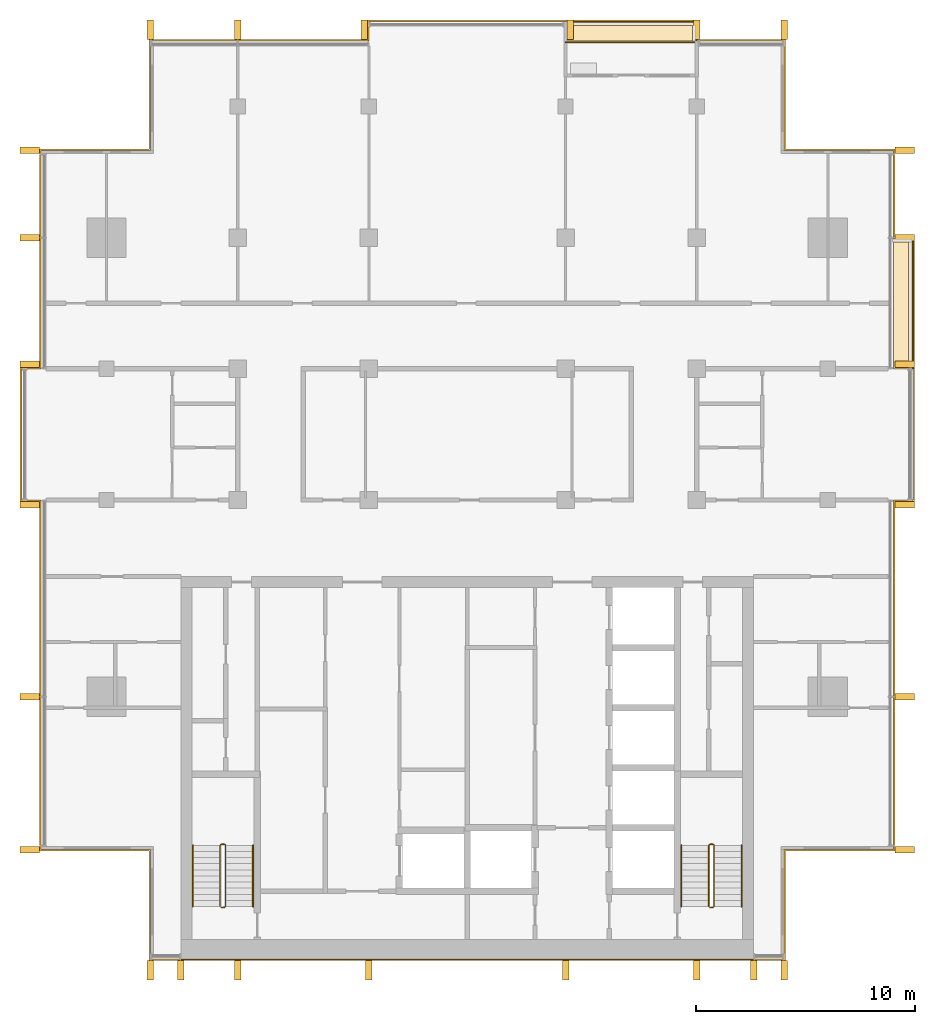
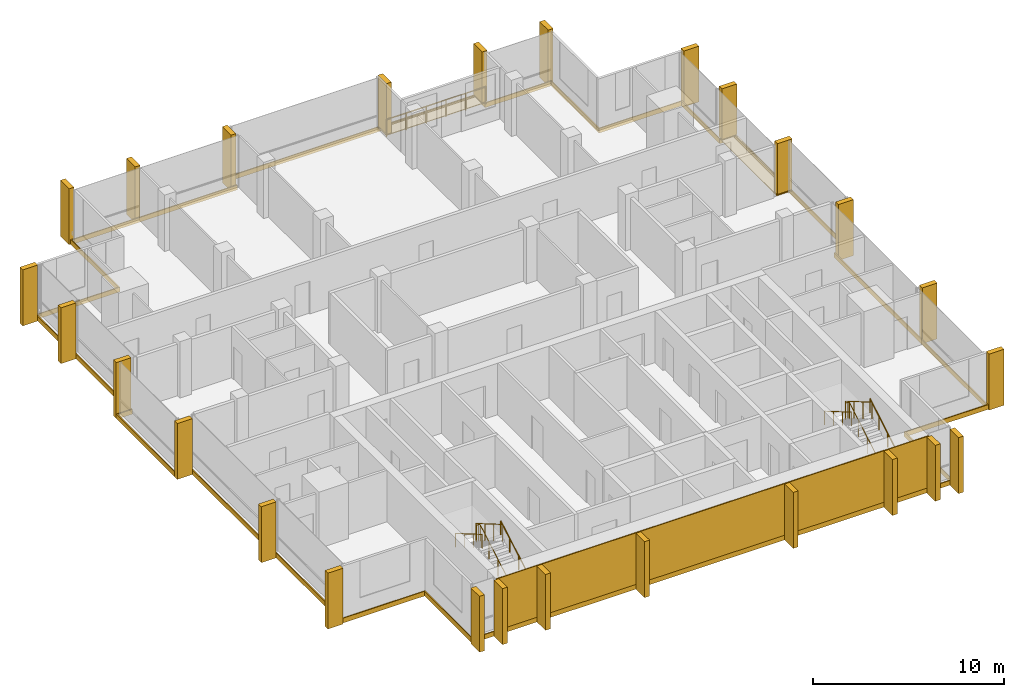
# One storey, part 15 of 15: 26 shading devices, 9 coverings, 7 railings.
"""IFC4 building model written with IfcOpenShell, lengths in metres."""

from ifc_helpers import new_model, si_unit, direction, frame, origin, origin_2d, place, context, subcontext, project, spatial, polyline, rectangle, circle, outline, extrude, material, layer, layer_set, type_object, element, save


model = new_model("IFC4")

# Units and contexts
model_context = context("Model", 3, precision=1e-05, world=origin(), true_north=direction((0.0, 1.0)))
body_context = subcontext(model_context, "Body", "Model", "MODEL_VIEW")
ifc_project = project(units=[si_unit("LENGTHUNIT", "METRE"), si_unit("AREAUNIT", "SQUARE_METRE"), si_unit("VOLUMEUNIT", "CUBIC_METRE"), si_unit("PLANEANGLEUNIT", "RADIAN"), si_unit("MASSUNIT", "GRAM", prefix="KILO")], contexts=[model_context])

# Site, building, storey
site_placement = place(None, origin())
site = spatial("IfcSite", under=ifc_project, at=site_placement, CompositionType="ELEMENT")
building_placement = place(site_placement, origin())
building = spatial("IfcBuilding", under=site, at=building_placement, Name="Finial Court Residences", CompositionType="ELEMENT")
storey_placement = place(building_placement, frame((0.0, 0.0, 273.5)))
storey = spatial("IfcBuildingStorey", under=building, at=storey_placement, Name="L69", CompositionType="ELEMENT", Elevation=273.5)

# Railing
ifc_material_1 = material(Name="Bronze anodised aluminium", Category="aluminium")
railing_type_1 = type_object("IfcRailingType", Name="Balcony guard 1100", PredefinedType="GUARDRAIL", material=ifc_material_1)
railing_1_placement = place(storey_placement, frame((4.5, 16.449951171875, 0.0)))
element("IfcRailing", 1, at=railing_1_placement, inside=storey, type_object=railing_type_1, Name="E-L69-BALN4-R", PredefinedType="GUARDRAIL", context=body_context, shape_type="SweptSolid", body=[
    extrude(circle(Radius=0.02392578125, at=origin_2d()), frame((0.0, 0.0, 1.076171875), z_axis=(1.0, 0.0, 0.0), x_axis=(0.0, 1.0, 0.0)), (0.0, 0.0, 1.0), 6.0),
    extrude(circle(Radius=0.02099609375, at=origin_2d()), origin(), (0.0, 0.0, 1.0), 1.052001953125),
    extrude(circle(Radius=0.02099609375, at=origin_2d()), frame((1.199951171875, 0.0, 0.0)), (0.0, 0.0, 1.0), 1.052001953125),
    extrude(circle(Radius=0.02099609375, at=origin_2d()), frame((2.39990234375, 0.0, 0.0)), (0.0, 0.0, 1.0), 1.052001953125),
    extrude(circle(Radius=0.02099609375, at=origin_2d()), frame((3.60009765625, 0.0, 0.0)), (0.0, 0.0, 1.0), 1.052001953125),
    extrude(circle(Radius=0.02099609375, at=origin_2d()), frame((4.800048828125, 0.0, 0.0)), (0.0, 0.0, 1.0), 1.052001953125),
    extrude(circle(Radius=0.02099609375, at=origin_2d()), frame((6.0, 0.0, 0.0)), (0.0, 0.0, 1.0), 1.052001953125),
])

# Coverings
ifc_material_2 = material(Name="Natural limestone", Category="masonry")
ifc_layer_1 = layer(ifc_material_2, 0.06005859375)
ifc_layer_set_1 = layer_set([ifc_layer_1], Name="Limestone cladding to the blind core face 60")
covering_type_1 = type_object("IfcCoveringType", Name="Limestone cladding to the blind core face 60", PredefinedType="CLADDING", material=ifc_layer_set_1)
covering_1_placement = place(storey_placement, origin())
element("IfcCovering", 2, at=covering_1_placement, inside=storey, type_object=covering_type_1, Name="E-L69-CLAD1", PredefinedType="CLADDING", context=body_context, shape_type="SweptSolid", body=[
    extrude(outline(polyline([(-10.5, -25.56005859375), (-10.5, -25.5), (-13.10009765625, -25.5), (-13.10009765625, -25.56005859375), (-10.5, -25.56005859375)])), origin(), (0.0, 0.0, 1.0), 3.300048828125),
])
covering_2_placement = place(storey_placement, origin())
element("IfcCovering", 3, at=covering_2_placement, inside=storey, type_object=covering_type_1, Name="E-L69-CLAD2", PredefinedType="CLADDING", context=body_context, shape_type="SweptSolid", body=[
    extrude(outline(polyline([(-4.5, -25.56005859375), (-4.5, -25.5), (-10.5, -25.5), (-10.5, -25.56005859375), (-4.5, -25.56005859375)])), origin(), (0.0, 0.0, 1.0), 3.300048828125),
])
covering_3_placement = place(storey_placement, origin())
element("IfcCovering", 4, at=covering_3_placement, inside=storey, type_object=covering_type_1, Name="E-L69-CLAD3", PredefinedType="CLADDING", context=body_context, shape_type="SweptSolid", body=[
    extrude(outline(polyline([(4.5, -25.56005859375), (4.5, -25.5), (-4.5, -25.5), (-4.5, -25.56005859375), (4.5, -25.56005859375)])), origin(), (0.0, 0.0, 1.0), 3.300048828125),
])
covering_4_placement = place(storey_placement, origin())
element("IfcCovering", 5, at=covering_4_placement, inside=storey, type_object=covering_type_1, Name="E-L69-CLAD4", PredefinedType="CLADDING", context=body_context, shape_type="SweptSolid", body=[
    extrude(outline(polyline([(10.5, -25.56005859375), (10.5, -25.5), (4.5, -25.5), (4.5, -25.56005859375), (10.5, -25.56005859375)])), origin(), (0.0, 0.0, 1.0), 3.300048828125),
])
covering_5_placement = place(storey_placement, origin())
element("IfcCovering", 6, at=covering_5_placement, inside=storey, type_object=covering_type_1, Name="E-L69-CLAD5", PredefinedType="CLADDING", context=body_context, shape_type="SweptSolid", body=[
    extrude(outline(polyline([(13.10009765625, -25.56005859375), (13.10009765625, -25.5), (10.5, -25.5), (10.5, -25.56005859375), (13.10009765625, -25.56005859375)])), origin(), (0.0, 0.0, 1.0), 3.300048828125),
])

# Shading devices
shading_device_type = type_object("IfcShadingDeviceType", Name="Limestone fin 300 x 900", PredefinedType="USERDEFINED", material=ifc_material_2)
for number, where, z_axis, x_axis, name in (
    (7, (-14.5, 17.010009765625, -0.300048828125), (0.0, 0.0, 1.0), (1.0, 0.0, 0.0), "E-L69-FIN-N1"),
    (8, (-10.5, 17.010009765625, -0.300048828125), (0.0, 0.0, 1.0), (1.0, 0.0, 0.0), "E-L69-FIN-N2"),
    (9, (-4.7099609375, 17.010009765625, -0.300048828125), (0.0, 0.0, 1.0), (1.0, 0.0, 0.0), "E-L69-FIN-N3"),
):
    element("IfcShadingDevice", number, at=place(storey_placement, frame(where, z_axis=z_axis, x_axis=x_axis)), inside=storey, type_object=shading_device_type, Name=name, ObjectType="FIN", PredefinedType="USERDEFINED", context=body_context, shape_type="SweptSolid", body=[
        extrude(rectangle(XDim=0.300048828125, YDim=0.89990234375, at=origin_2d()), origin(), (0.0, 0.0, 1.0), 3.580078125),
    ])
for number, where, z_axis, x_axis, name in (
    (10, (4.7099609375, 17.010009765625, 0.0400390625), (0.0, 0.0, 1.0), (1.0, 0.0, 0.0), "E-L69-FIN-N4"),
    (11, (10.5, 17.010009765625, 0.0400390625), (0.0, 0.0, 1.0), (1.0, 0.0, 0.0), "E-L69-FIN-N5"),
):
    element("IfcShadingDevice", number, at=place(storey_placement, frame(where, z_axis=z_axis, x_axis=x_axis)), inside=storey, type_object=shading_device_type, Name=name, ObjectType="FIN", PredefinedType="USERDEFINED", context=body_context, shape_type="SweptSolid", body=[
        extrude(rectangle(XDim=0.300048828125, YDim=0.89990234375, at=origin_2d()), origin(), (0.0, 0.0, 1.0), 3.239990234375),
    ])
shading_device_1_placement = place(storey_placement, frame((14.5, 17.010009765625, -0.300048828125), z_axis=(0.0, 0.0, 1.0), x_axis=(1.0, 0.0, 0.0)))
element("IfcShadingDevice", 12, at=shading_device_1_placement, inside=storey, type_object=shading_device_type, Name="E-L69-FIN-N6", ObjectType="FIN", PredefinedType="USERDEFINED", context=body_context, shape_type="SweptSolid", body=[
    extrude(rectangle(XDim=0.300048828125, YDim=0.89990234375, at=origin_2d()), origin(), (0.0, 0.0, 1.0), 3.580078125),
])
for number, where, z_axis, x_axis, name in (
    (13, (20.010009765625, -20.5, -0.300048828125), (0.0, 0.0, 1.0), (1.0, 0.0, 0.0), "E-L69-FIN-E7"),
    (14, (20.010009765625, -13.5, -0.300048828125), (0.0, 0.0, 1.0), (1.0, 0.0, 0.0), "E-L69-FIN-E8"),
    (15, (20.010009765625, -4.7099609375, -0.300048828125), (0.0, 0.0, 1.0), (1.0, 0.0, 0.0), "E-L69-FIN-E9"),
):
    element("IfcShadingDevice", number, at=place(storey_placement, frame(where, z_axis=z_axis, x_axis=x_axis)), inside=storey, type_object=shading_device_type, Name=name, ObjectType="FIN", PredefinedType="USERDEFINED", context=body_context, shape_type="SweptSolid", body=[
        extrude(rectangle(XDim=0.89990234375, YDim=0.300048828125, at=origin_2d()), origin(), (0.0, 0.0, 1.0), 3.580078125),
    ])
for number, where, z_axis, x_axis, name in (
    (16, (20.010009765625, 1.7099609375, 0.0400390625), (0.0, 0.0, 1.0), (1.0, 0.0, 0.0), "E-L69-FIN-E10"),
    (17, (20.010009765625, 7.5, 0.0400390625), (0.0, 0.0, 1.0), (1.0, 0.0, 0.0), "E-L69-FIN-E11"),
):
    element("IfcShadingDevice", number, at=place(storey_placement, frame(where, z_axis=z_axis, x_axis=x_axis)), inside=storey, type_object=shading_device_type, Name=name, ObjectType="FIN", PredefinedType="USERDEFINED", context=body_context, shape_type="SweptSolid", body=[
        extrude(rectangle(XDim=0.89990234375, YDim=0.300048828125, at=origin_2d()), origin(), (0.0, 0.0, 1.0), 3.239990234375),
    ])
shading_device_2_placement = place(storey_placement, frame((20.010009765625, 11.5, -0.300048828125), z_axis=(0.0, 0.0, 1.0), x_axis=(1.0, 0.0, 0.0)))
element("IfcShadingDevice", 18, at=shading_device_2_placement, inside=storey, type_object=shading_device_type, Name="E-L69-FIN-E12", ObjectType="FIN", PredefinedType="USERDEFINED", context=body_context, shape_type="SweptSolid", body=[
    extrude(rectangle(XDim=0.89990234375, YDim=0.300048828125, at=origin_2d()), origin(), (0.0, 0.0, 1.0), 3.580078125),
])
for number, where, z_axis, x_axis, name in (
    (19, (-14.5, -26.010009765625, -0.300048828125), (0.0, 0.0, 1.0), (1.0, 0.0, 0.0), "E-L69-FIN-S13"),
    (20, (-13.10009765625, -26.010009765625, -0.300048828125), (0.0, 0.0, 1.0), (1.0, 0.0, 0.0), "E-L69-FIN-S14"),
    (21, (-10.5, -26.010009765625, -0.300048828125), (0.0, 0.0, 1.0), (1.0, 0.0, 0.0), "E-L69-FIN-S15"),
    (22, (-4.5, -26.010009765625, -0.300048828125), (0.0, 0.0, 1.0), (1.0, 0.0, 0.0), "E-L69-FIN-S16"),
    (23, (4.5, -26.010009765625, -0.300048828125), (0.0, 0.0, 1.0), (1.0, 0.0, 0.0), "E-L69-FIN-S17"),
    (24, (10.5, -26.010009765625, -0.300048828125), (0.0, 0.0, 1.0), (1.0, 0.0, 0.0), "E-L69-FIN-S18"),
    (25, (13.10009765625, -26.010009765625, -0.300048828125), (0.0, 0.0, 1.0), (1.0, 0.0, 0.0), "E-L69-FIN-S19"),
    (26, (14.5, -26.010009765625, -0.300048828125), (0.0, 0.0, 1.0), (1.0, 0.0, 0.0), "E-L69-FIN-S20"),
):
    element("IfcShadingDevice", number, at=place(storey_placement, frame(where, z_axis=z_axis, x_axis=x_axis)), inside=storey, type_object=shading_device_type, Name=name, ObjectType="FIN", PredefinedType="USERDEFINED", context=body_context, shape_type="SweptSolid", body=[
        extrude(rectangle(XDim=0.300048828125, YDim=0.89990234375, at=origin_2d()), origin(), (0.0, 0.0, 1.0), 3.580078125),
    ])
for number, where, z_axis, x_axis, name in (
    (27, (-20.010009765625, -20.5, -0.300048828125), (0.0, 0.0, 1.0), (1.0, 0.0, 0.0), "E-L69-FIN-W21"),
    (28, (-20.010009765625, -13.5, -0.300048828125), (0.0, 0.0, 1.0), (1.0, 0.0, 0.0), "E-L69-FIN-W22"),
    (29, (-20.010009765625, -4.7099609375, -0.300048828125), (0.0, 0.0, 1.0), (1.0, 0.0, 0.0), "E-L69-FIN-W23"),
    (30, (-20.010009765625, 1.7099609375, -0.300048828125), (0.0, 0.0, 1.0), (1.0, 0.0, 0.0), "E-L69-FIN-W24"),
    (31, (-20.010009765625, 7.5, -0.300048828125), (0.0, 0.0, 1.0), (1.0, 0.0, 0.0), "E-L69-FIN-W25"),
    (32, (-20.010009765625, 11.5, -0.300048828125), (0.0, 0.0, 1.0), (1.0, 0.0, 0.0), "E-L69-FIN-W26"),
):
    element("IfcShadingDevice", number, at=place(storey_placement, frame(where, z_axis=z_axis, x_axis=x_axis)), inside=storey, type_object=shading_device_type, Name=name, ObjectType="FIN", PredefinedType="USERDEFINED", context=body_context, shape_type="SweptSolid", body=[
        extrude(rectangle(XDim=0.89990234375, YDim=0.300048828125, at=origin_2d()), origin(), (0.0, 0.0, 1.0), 3.580078125),
    ])

# Coverings
ifc_material_3 = material(Name="Pale limestone", Category="masonry")
ifc_layer_2 = layer(ifc_material_3, 0.06005859375)
ifc_layer_set_2 = layer_set([ifc_layer_2], Name="Pale limestone slab-edge band 60")
covering_type_2 = type_object("IfcCoveringType", Name="Pale limestone slab-edge band 60", PredefinedType="CLADDING", material=ifc_layer_set_2)
covering_6_placement = place(storey_placement, frame((0.0, 0.0, -0.300048828125)))
element("IfcCovering", 33, at=covering_6_placement, inside=storey, type_object=covering_type_2, Name="E-L69-BAND1", PredefinedType="CLADDING", context=body_context, shape_type="SweptSolid", body=[
    extrude(outline(polyline([(-20.4599609375, -4.56005859375), (-20.4599609375, 1.56005859375), (-19.56005859375, 1.56005859375), (-19.56005859375, 11.56005859375), (-14.56005859375, 11.56005859375), (-14.56005859375, 16.56005859375), (-4.56005859375, 16.56005859375), (-4.56005859375, 17.4599609375), (10.56005859375, 17.4599609375), (10.56005859375, 16.56005859375), (14.56005859375, 16.56005859375), (14.56005859375, 11.56005859375), (19.56005859375, 11.56005859375), (19.56005859375, 7.56005859375), (20.4599609375, 7.56005859375), (20.4599609375, -4.56005859375), (19.56005859375, -4.56005859375), (19.56005859375, -20.56005859375), (14.56005859375, -20.56005859375), (14.56005859375, -25.56005859375), (-14.56005859375, -25.56005859375), (-14.56005859375, -20.56005859375), (-19.56005859375, -20.56005859375), (-19.56005859375, -4.56005859375), (-20.4599609375, -4.56005859375)]), holes=[polyline([(-19.5, -20.5), (-14.5, -20.5), (-14.5, -25.5), (14.5, -25.5), (14.5, -20.5), (19.5, -20.5), (19.5, -4.5), (20.39990234375, -4.5), (20.39990234375, 1.5), (20.39990234375, 7.5), (19.5, 7.5), (19.5, 11.5), (14.5, 11.5), (14.5, 16.5), (10.5, 16.5), (10.5, 17.39990234375), (4.5, 17.39990234375), (-4.5, 17.39990234375), (-4.5, 16.5), (-14.5, 16.5), (-14.5, 11.5), (-19.5, 11.5), (-19.5, 1.5), (-20.39990234375, 1.5), (-20.39990234375, -4.5), (-19.5, -4.5), (-19.5, -20.5)])]), origin(), (0.0, 0.0, 1.0), 0.300048828125),
])
ifc_material_4 = material(Name="Bitumen membrane")
ifc_layer_3 = layer(ifc_material_4, 0.0400390625)
ifc_layer_set_3 = layer_set([ifc_layer_3], Name="Push box roofing, bitumen membrane 40")
covering_type_3 = type_object("IfcCoveringType", Name="Push box roofing, bitumen membrane 40", PredefinedType="ROOFING", material=ifc_layer_set_3)
covering_7_placement = place(storey_placement, origin())
element("IfcCovering", 34, at=covering_7_placement, inside=storey, type_object=covering_type_3, Name="E-L69-LED1", PredefinedType="ROOFING", context=body_context, shape_type="SweptSolid", body=[
    extrude(outline(polyline([(4.5, 16.5), (4.5, 17.39990234375), (10.5, 17.39990234375), (10.5, 16.5), (4.5, 16.5)]), holes=[polyline([(10.449951171875, 16.510009765625), (10.449951171875, 17.199951171875), (10.449951171875, 17.35009765625), (4.510009765625, 17.35009765625), (4.510009765625, 17.199951171875), (10.300048828125, 17.199951171875), (10.300048828125, 16.510009765625), (10.449951171875, 16.510009765625)])]), origin(), (0.0, 0.0, 1.0), 0.0400390625),
])
covering_8_placement = place(storey_placement, origin())
element("IfcCovering", 35, at=covering_8_placement, inside=storey, type_object=covering_type_3, Name="E-L69-LED2", PredefinedType="ROOFING", context=body_context, shape_type="SweptSolid", body=[
    extrude(outline(polyline([(19.5, 7.300048828125), (20.199951171875, 7.300048828125), (20.199951171875, 1.5), (19.5, 1.5), (19.5, 7.300048828125)])), origin(), (0.0, 0.0, 1.0), 0.0400390625),
])
covering_9_placement = place(storey_placement, origin())
element("IfcCovering", 36, at=covering_9_placement, inside=storey, type_object=covering_type_3, Name="E-L69-LED2b", PredefinedType="ROOFING", context=body_context, shape_type="SweptSolid", body=[
    extrude(outline(polyline([(19.5, 7.5), (20.39990234375, 7.5), (20.39990234375, 1.5), (20.35009765625, 1.5), (20.35009765625, 7.300048828125), (20.35009765625, 7.300048828125), (20.35009765625, 7.449951171875), (19.5, 7.449951171875), (19.5, 7.5)])), origin(), (0.0, 0.0, 1.0), 0.0400390625),
])

# Railings
ifc_material_5 = material(Name="Stainless steel railing", Category="steel")
railing_type_2 = type_object("IfcRailingType", Name="Stair guard 1100", PredefinedType="GUARDRAIL", material=ifc_material_5)
railing_2_placement = place(storey_placement, frame((-11.10009765625, -23.14990234375, 0.0)))
element("IfcRailing", 37, at=railing_2_placement, inside=storey, type_object=railing_type_2, Name="L69 ST-1 stair guard 1", PredefinedType="GUARDRAIL", context=body_context, shape_type="SweptSolid", body=[
    extrude(circle(Radius=0.02392578125, at=origin_2d()), frame((0.0, 0.0, 1.076171875), z_axis=(-1.0, 0.0, 0.0), x_axis=(0.0, -1.0, 0.0)), (0.0, 0.0, 1.0), 0.14990234375),
    extrude(circle(Radius=0.02392578125, at=origin_2d()), frame((-0.14990234375, 0.0, 1.076171875), z_axis=(0.760004195007, 0.189305074214, 0.621737253547), x_axis=(-0.241699205484, 0.970351222016, 0.0)), (0.0, 0.0, 1.0), 0.26318359375),
    extrude(circle(Radius=0.02392578125, at=origin_2d()), frame((0.050048828125, 0.0498046875, 1.23974609375), z_axis=(0.0, 0.863360870873, 0.504586966384), x_axis=(-1.0, 0.0, 0.0)), (0.0, 0.0, 1.0), 3.2431640625),
    extrude(circle(Radius=0.02392578125, at=origin_2d()), frame((0.050048828125, 2.849853515625, 2.8759765625), z_axis=(-0.707106781187, 0.707106781187, 0.0), x_axis=(-0.707106781187, -0.707106781187, 0.0)), (0.0, 0.0, 1.0), 0.07080078125),
    extrude(circle(Radius=0.02392578125, at=origin_2d()), frame((0.0, 2.89990234375, 2.8759765625), z_axis=(-1.0, 0.0, 0.0), x_axis=(0.0, -1.0, 0.0)), (0.0, 0.0, 1.0), 0.14990234375),
    extrude(circle(Radius=0.02392578125, at=origin_2d()), frame((-0.14990234375, 2.89990234375, 2.8759765625), z_axis=(-0.280808744504, -0.280808744504, 0.917765164963), x_axis=(0.707106781187, -0.707106781187, 0.0)), (0.0, 0.0, 1.0), 0.17822265625),
    extrude(circle(Radius=0.02392578125, at=origin_2d()), frame((-0.199951171875, 2.849853515625, 3.03955078125), z_axis=(0.0, -0.863360870873, 0.504586966384), x_axis=(1.0, 0.0, 0.0)), (0.0, 0.0, 1.0), 3.2431640625),
    extrude(circle(Radius=0.02099609375, at=origin_2d()), origin(), (0.0, 0.0, 1.0), 1.052001953125),
    extrude(circle(Radius=0.02099609375, at=origin_2d()), frame((-0.14990234375, 0.0, 0.0)), (0.0, 0.0, 1.0), 1.052001953125),
    extrude(circle(Radius=0.02099609375, at=origin_2d()), frame((0.050048828125, 0.0498046875, 0.16357421875)), (0.0, 0.0, 1.0), 1.052001953125),
    extrude(circle(Radius=0.02099609375, at=origin_2d()), frame((0.050048828125, 0.983154296875, 0.708984375)), (0.0, 0.0, 1.0), 1.052001953125),
    extrude(circle(Radius=0.02099609375, at=origin_2d()), frame((0.050048828125, 1.91650390625, 1.254638671875)), (0.0, 0.0, 1.0), 1.052001953125),
    extrude(circle(Radius=0.02099609375, at=origin_2d()), frame((0.050048828125, 2.849853515625, 1.800048828125)), (0.0, 0.0, 1.0), 1.052001953125),
    extrude(circle(Radius=0.02099609375, at=origin_2d()), frame((0.0, 2.89990234375, 1.800048828125)), (0.0, 0.0, 1.0), 1.052001953125),
    extrude(circle(Radius=0.02099609375, at=origin_2d()), frame((-0.14990234375, 2.89990234375, 1.800048828125)), (0.0, 0.0, 1.0), 1.052001953125),
    extrude(circle(Radius=0.02099609375, at=origin_2d()), frame((-0.199951171875, 2.849853515625, 1.963623046875)), (0.0, 0.0, 1.0), 1.052001953125),
    extrude(circle(Radius=0.02099609375, at=origin_2d()), frame((-0.199951171875, 1.91650390625, 2.509033203125)), (0.0, 0.0, 1.0), 1.052001953125),
    extrude(circle(Radius=0.02099609375, at=origin_2d()), frame((-0.199951171875, 0.983154296875, 3.0546875)), (0.0, 0.0, 1.0), 1.052001953125),
    extrude(circle(Radius=0.02099609375, at=origin_2d()), frame((-0.199951171875, 0.0498046875, 3.60009765625)), (0.0, 0.0, 1.0), 1.052001953125),
])
railing_3_placement = place(storey_placement, frame((11.25, -23.14990234375, 0.0)))
element("IfcRailing", 38, at=railing_3_placement, inside=storey, type_object=railing_type_2, Name="L69 ST-2 stair guard 1", PredefinedType="GUARDRAIL", context=body_context, shape_type="SweptSolid", body=[
    extrude(circle(Radius=0.02392578125, at=origin_2d()), frame((0.0, 0.0, 1.076171875), z_axis=(-1.0, 0.0, 0.0), x_axis=(0.0, -1.0, 0.0)), (0.0, 0.0, 1.0), 0.14990234375),
    extrude(circle(Radius=0.02392578125, at=origin_2d()), frame((-0.14990234375, 0.0, 1.076171875), z_axis=(0.760004195007, 0.189305074214, 0.621737253547), x_axis=(-0.241699205484, 0.970351222016, 0.0)), (0.0, 0.0, 1.0), 0.26318359375),
    extrude(circle(Radius=0.02392578125, at=origin_2d()), frame((0.050048828125, 0.0498046875, 1.23974609375), z_axis=(0.0, 0.863360870873, 0.504586966384), x_axis=(-1.0, 0.0, 0.0)), (0.0, 0.0, 1.0), 3.2431640625),
    extrude(circle(Radius=0.02392578125, at=origin_2d()), frame((0.050048828125, 2.849853515625, 2.8759765625), z_axis=(-0.707106781187, 0.707106781187, 0.0), x_axis=(-0.707106781187, -0.707106781187, 0.0)), (0.0, 0.0, 1.0), 0.07080078125),
    extrude(circle(Radius=0.02392578125, at=origin_2d()), frame((0.0, 2.89990234375, 2.8759765625), z_axis=(-1.0, 0.0, 0.0), x_axis=(0.0, -1.0, 0.0)), (0.0, 0.0, 1.0), 0.14990234375),
    extrude(circle(Radius=0.02392578125, at=origin_2d()), frame((-0.14990234375, 2.89990234375, 2.8759765625), z_axis=(-0.280808744504, -0.280808744504, 0.917765164963), x_axis=(0.707106781187, -0.707106781187, 0.0)), (0.0, 0.0, 1.0), 0.17822265625),
    extrude(circle(Radius=0.02392578125, at=origin_2d()), frame((-0.199951171875, 2.849853515625, 3.03955078125), z_axis=(0.0, -0.863360870873, 0.504586966384), x_axis=(1.0, 0.0, 0.0)), (0.0, 0.0, 1.0), 3.2431640625),
    extrude(circle(Radius=0.02099609375, at=origin_2d()), origin(), (0.0, 0.0, 1.0), 1.052001953125),
    extrude(circle(Radius=0.02099609375, at=origin_2d()), frame((-0.14990234375, 0.0, 0.0)), (0.0, 0.0, 1.0), 1.052001953125),
    extrude(circle(Radius=0.02099609375, at=origin_2d()), frame((0.050048828125, 0.0498046875, 0.16357421875)), (0.0, 0.0, 1.0), 1.052001953125),
    extrude(circle(Radius=0.02099609375, at=origin_2d()), frame((0.050048828125, 0.983154296875, 0.708984375)), (0.0, 0.0, 1.0), 1.052001953125),
    extrude(circle(Radius=0.02099609375, at=origin_2d()), frame((0.050048828125, 1.91650390625, 1.254638671875)), (0.0, 0.0, 1.0), 1.052001953125),
    extrude(circle(Radius=0.02099609375, at=origin_2d()), frame((0.050048828125, 2.849853515625, 1.800048828125)), (0.0, 0.0, 1.0), 1.052001953125),
    extrude(circle(Radius=0.02099609375, at=origin_2d()), frame((0.0, 2.89990234375, 1.800048828125)), (0.0, 0.0, 1.0), 1.052001953125),
    extrude(circle(Radius=0.02099609375, at=origin_2d()), frame((-0.14990234375, 2.89990234375, 1.800048828125)), (0.0, 0.0, 1.0), 1.052001953125),
    extrude(circle(Radius=0.02099609375, at=origin_2d()), frame((-0.199951171875, 2.849853515625, 1.963623046875)), (0.0, 0.0, 1.0), 1.052001953125),
    extrude(circle(Radius=0.02099609375, at=origin_2d()), frame((-0.199951171875, 1.91650390625, 2.509033203125)), (0.0, 0.0, 1.0), 1.052001953125),
    extrude(circle(Radius=0.02099609375, at=origin_2d()), frame((-0.199951171875, 0.983154296875, 3.0546875)), (0.0, 0.0, 1.0), 1.052001953125),
    extrude(circle(Radius=0.02099609375, at=origin_2d()), frame((-0.199951171875, 0.0498046875, 3.60009765625)), (0.0, 0.0, 1.0), 1.052001953125),
])
railing_type_3 = type_object("IfcRailingType", Name="Stair handrail 900", PredefinedType="HANDRAIL", material=ifc_material_5)
railing_4_placement = place(storey_placement, frame((-9.800048828125, -23.10009765625, 0.16357421875)))
element("IfcRailing", 39, at=railing_4_placement, inside=storey, type_object=railing_type_3, Name="L69 ST-1 stair handrail 1", PredefinedType="HANDRAIL", context=body_context, shape_type="SweptSolid", body=[
    extrude(circle(Radius=0.02392578125, at=origin_2d()), frame((0.0, 0.0, 0.8759765625), z_axis=(0.0, 0.863360870873, 0.504586966384), x_axis=(-1.0, 0.0, 0.0)), (0.0, 0.0, 1.0), 3.2431640625),
    extrude(circle(Radius=0.02099609375, at=origin_2d()), origin(), (0.0, 0.0, 1.0), 0.851806640625),
    extrude(circle(Radius=0.02099609375, at=origin_2d()), frame((0.0, 0.933349609375, 0.54541015625)), (0.0, 0.0, 1.0), 0.851806640625),
    extrude(circle(Radius=0.02099609375, at=origin_2d()), frame((0.0, 1.86669921875, 1.091064453125)), (0.0, 0.0, 1.0), 0.851806640625),
    extrude(circle(Radius=0.02099609375, at=origin_2d()), frame((0.0, 2.800048828125, 1.636474609375)), (0.0, 0.0, 1.0), 0.851806640625),
])
railing_5_placement = place(storey_placement, frame((-12.550048828125, -20.300048828125, 1.963623046875)))
element("IfcRailing", 40, at=railing_5_placement, inside=storey, type_object=railing_type_3, Name="L69 ST-1 stair handrail 2", PredefinedType="HANDRAIL", context=body_context, shape_type="SweptSolid", body=[
    extrude(circle(Radius=0.02392578125, at=origin_2d()), frame((0.0, 0.0, 0.8759765625), z_axis=(0.0, -0.863360870873, 0.504586966384), x_axis=(1.0, 0.0, 0.0)), (0.0, 0.0, 1.0), 3.2431640625),
    extrude(circle(Radius=0.02099609375, at=origin_2d()), origin(), (0.0, 0.0, 1.0), 0.851806640625),
    extrude(circle(Radius=0.02099609375, at=origin_2d()), frame((0.0, -0.933349609375, 0.54541015625)), (0.0, 0.0, 1.0), 0.851806640625),
    extrude(circle(Radius=0.02099609375, at=origin_2d()), frame((0.0, -1.86669921875, 1.091064453125)), (0.0, 0.0, 1.0), 0.851806640625),
    extrude(circle(Radius=0.02099609375, at=origin_2d()), frame((0.0, -2.800048828125, 1.636474609375)), (0.0, 0.0, 1.0), 0.851806640625),
])
railing_6_placement = place(storey_placement, frame((12.550048828125, -23.10009765625, 0.16357421875)))
element("IfcRailing", 41, at=railing_6_placement, inside=storey, type_object=railing_type_3, Name="L69 ST-2 stair handrail 1", PredefinedType="HANDRAIL", context=body_context, shape_type="SweptSolid", body=[
    extrude(circle(Radius=0.02392578125, at=origin_2d()), frame((0.0, 0.0, 0.8759765625), z_axis=(0.0, 0.863360870873, 0.504586966384), x_axis=(-1.0, 0.0, 0.0)), (0.0, 0.0, 1.0), 3.2431640625),
    extrude(circle(Radius=0.02099609375, at=origin_2d()), origin(), (0.0, 0.0, 1.0), 0.851806640625),
    extrude(circle(Radius=0.02099609375, at=origin_2d()), frame((0.0, 0.933349609375, 0.54541015625)), (0.0, 0.0, 1.0), 0.851806640625),
    extrude(circle(Radius=0.02099609375, at=origin_2d()), frame((0.0, 1.86669921875, 1.091064453125)), (0.0, 0.0, 1.0), 0.851806640625),
    extrude(circle(Radius=0.02099609375, at=origin_2d()), frame((0.0, 2.800048828125, 1.636474609375)), (0.0, 0.0, 1.0), 0.851806640625),
])
railing_7_placement = place(storey_placement, frame((9.800048828125, -20.300048828125, 1.963623046875)))
element("IfcRailing", 42, at=railing_7_placement, inside=storey, type_object=railing_type_3, Name="L69 ST-2 stair handrail 2", PredefinedType="HANDRAIL", context=body_context, shape_type="SweptSolid", body=[
    extrude(circle(Radius=0.02392578125, at=origin_2d()), frame((0.0, 0.0, 0.8759765625), z_axis=(0.0, -0.863360870873, 0.504586966384), x_axis=(1.0, 0.0, 0.0)), (0.0, 0.0, 1.0), 3.2431640625),
    extrude(circle(Radius=0.02099609375, at=origin_2d()), origin(), (0.0, 0.0, 1.0), 0.851806640625),
    extrude(circle(Radius=0.02099609375, at=origin_2d()), frame((0.0, -0.933349609375, 0.54541015625)), (0.0, 0.0, 1.0), 0.851806640625),
    extrude(circle(Radius=0.02099609375, at=origin_2d()), frame((0.0, -1.86669921875, 1.091064453125)), (0.0, 0.0, 1.0), 0.851806640625),
    extrude(circle(Radius=0.02099609375, at=origin_2d()), frame((0.0, -2.800048828125, 1.636474609375)), (0.0, 0.0, 1.0), 0.851806640625),
])

save(model, "model.ifc")
